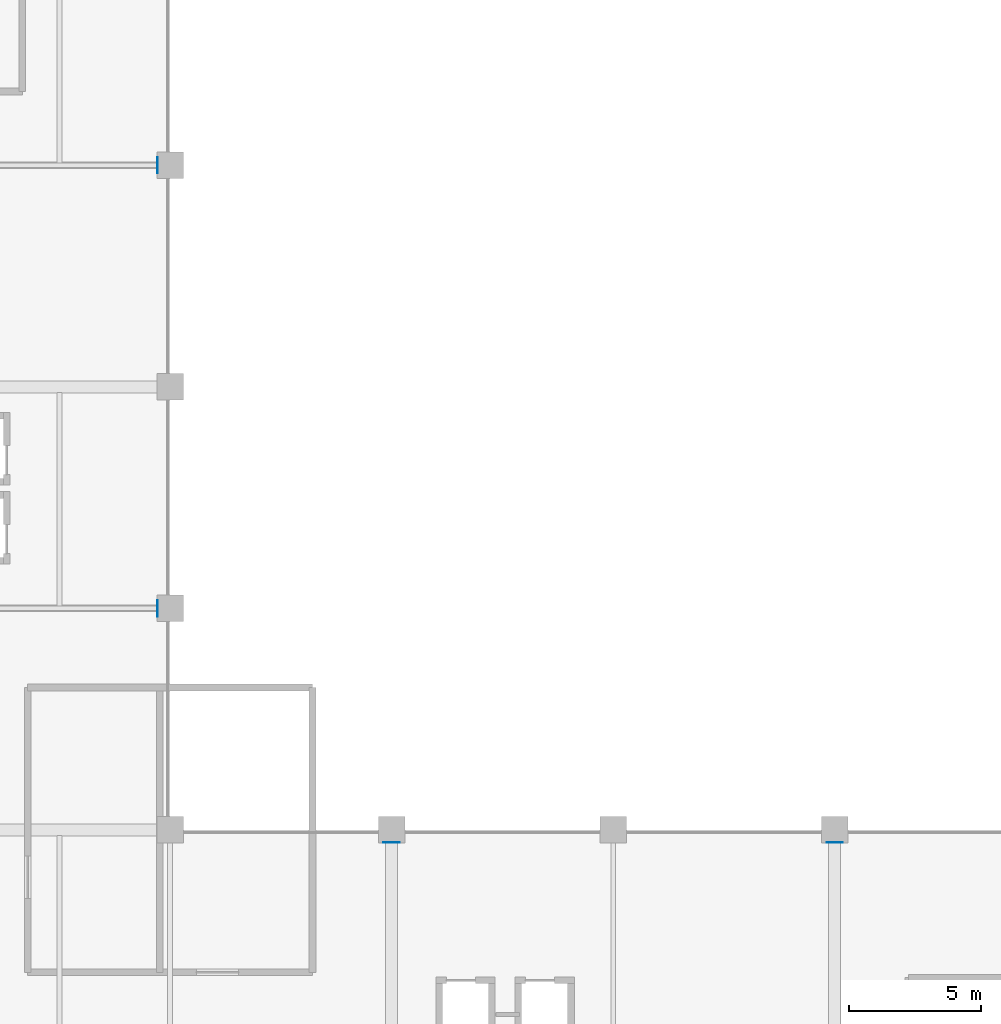
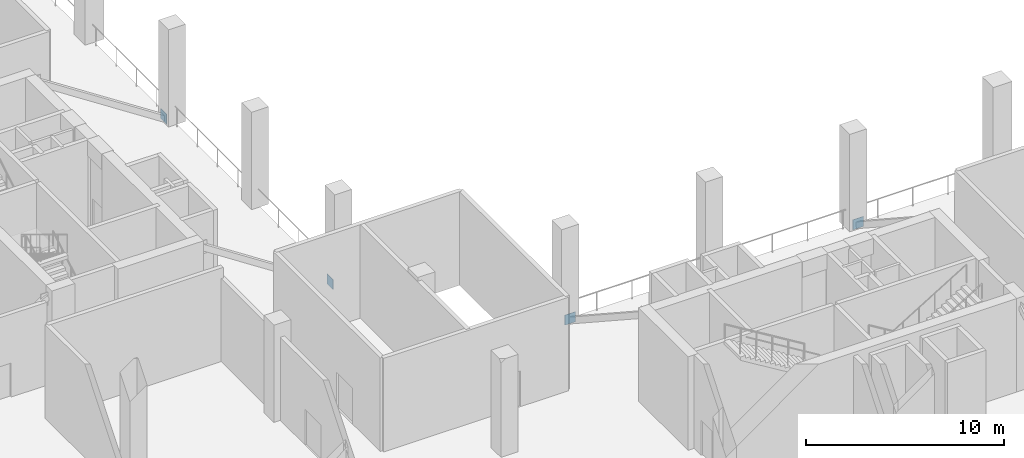
# One storey, part 8 of 18: 4 plates.
"""IFC4 building model written with IfcOpenShell, lengths in metres."""

from ifc_helpers import new_model, si_unit, direction, frame, origin, origin_2d, place, context, subcontext, project, spatial, rectangle, extrude, material, layer, layer_set, type_object, element, save


model = new_model("IFC4")

# Units and contexts
model_context = context("Model", 3, precision=1e-05, world=origin(), true_north=direction((0.0, 1.0)))
body_context = subcontext(model_context, "Body", "Model", "MODEL_VIEW")
ifc_project = project(units=[si_unit("LENGTHUNIT", "METRE"), si_unit("AREAUNIT", "SQUARE_METRE"), si_unit("VOLUMEUNIT", "CUBIC_METRE"), si_unit("PLANEANGLEUNIT", "RADIAN"), si_unit("MASSUNIT", "GRAM", prefix="KILO")], contexts=[model_context])

# Site, building, storey
site_placement = place(None, origin())
site = spatial("IfcSite", under=ifc_project, at=site_placement, CompositionType="ELEMENT")
building_placement = place(site_placement, origin())
building = spatial("IfcBuilding", under=site, at=building_placement, Name="Koriwani Terraces Tower", CompositionType="ELEMENT")
storey_placement = place(building_placement, frame((0.0, 0.0, 228.199951171875)))
storey = spatial("IfcBuildingStorey", under=building, at=storey_placement, Name="L56", CompositionType="ELEMENT", Elevation=228.199951171875)

# Plates
ifc_material = material(Name="Steel ASTM A572 Grade 50", Category="steel")
ifc_layer = layer(ifc_material, 0.02490234375, Name="Steel ASTM A572 Grade 50")
ifc_layer_set = layer_set([ifc_layer], Name="Steel ASTM A572 Grade 50")
plate_type = type_object("IfcPlateType", Name="STEEL_CAP_PLATE_25", PredefinedType="USERDEFINED", material=ifc_layer_set)
for number, where, z_axis, x_axis, name in (
    (1, (33.1201171875, 42.0, 0.0400390625), (0.0, 0.0, 1.0), (-1.0, 0.0, 0.0), "Outrigger truss hollow end cap plate L56-OW-E1"),
    (2, (33.1201171875, 58.800048828125, 0.0400390625), (0.0, 0.0, 1.0), (-1.0, 0.0, 0.0), "Outrigger truss hollow end cap plate L56-OW-E2"),
    (3, (42.0, 33.1201171875, 0.0400390625), (0.0, 0.0, 1.0), (0.0, -1.0, 0.0), "Outrigger truss hollow end cap plate L56-OE-N1"),
    (4, (58.800048828125, 33.1201171875, 0.0400390625), (0.0, 0.0, 1.0), (0.0, -1.0, 0.0), "Outrigger truss hollow end cap plate L56-OE-N2"),
):
    element("IfcPlate", number, at=place(storey_placement, frame(where, z_axis=z_axis, x_axis=x_axis)), inside=storey, type_object=plate_type, Name=name, ObjectType="FLANGE_PLATE", PredefinedType="USERDEFINED", context=body_context, shape_type="SweptSolid", body=[
        extrude(rectangle(XDim=0.02490234375, YDim=0.6201171875, at=origin_2d()), origin(), (0.0, 0.0, 1.0), 0.6201171875),
    ])

save(model, "model.ifc")
